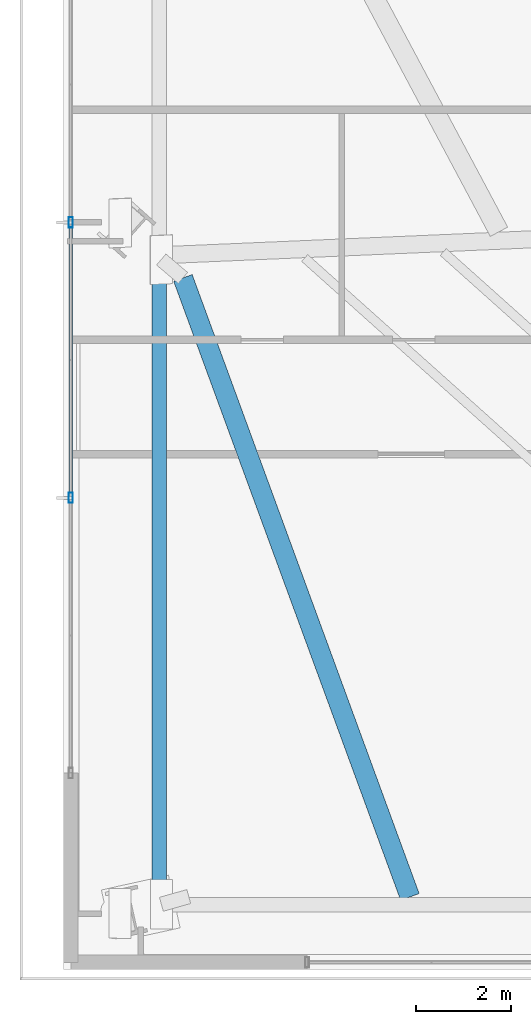
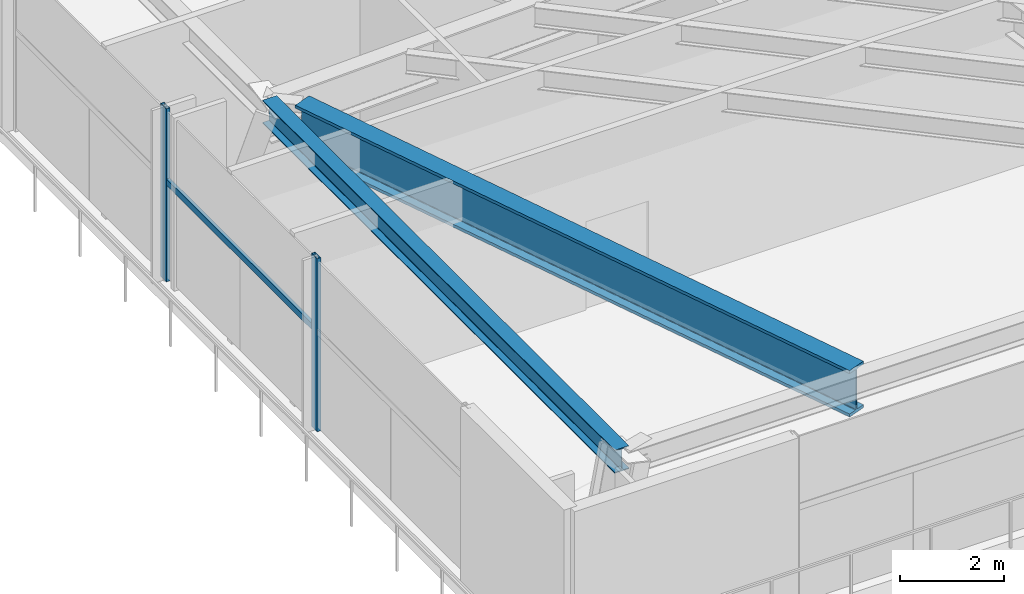
# One storey, part 4 of 30: 3 members, 2 beams, 1 element without a shape of its own.
"""IFC4 building model written with IfcOpenShell, lengths in metres."""

from ifc_helpers import new_model, si_unit, direction, frame, origin, origin_2d, place, context, subcontext, project, spatial, hollow_rectangle, i_section, extrude, source, transform, mapped, material, material_profile, profile_set, type_object, type_shapes, element, aggregate, save


model = new_model("IFC4")

# Units and contexts
model_context = context("Model", 3, precision=1e-05, world=origin(), true_north=direction((0.0, 1.0)))
body_context = subcontext(model_context, "Body", "Model", "MODEL_VIEW")
ifc_project = project(units=[si_unit("LENGTHUNIT", "METRE"), si_unit("AREAUNIT", "SQUARE_METRE"), si_unit("VOLUMEUNIT", "CUBIC_METRE"), si_unit("PLANEANGLEUNIT", "RADIAN"), si_unit("MASSUNIT", "GRAM", prefix="KILO")], contexts=[model_context])

# Site, building, storey
site_placement = place(None, origin())
site = spatial("IfcSite", under=ifc_project, at=site_placement, CompositionType="ELEMENT")
building_placement = place(site_placement, origin())
building = spatial("IfcBuilding", under=site, at=building_placement, Name="Astriad Promenade Condominiums", CompositionType="ELEMENT")
storey_placement = place(building_placement, frame((0.0, 0.0, 14.0)))
storey = spatial("IfcBuildingStorey", under=building, at=storey_placement, Name="L03", CompositionType="ELEMENT", Elevation=14.0)

# Beams
ifc_material_1 = material(Name="Steel ASTM A992 Grade 50", Category="steel")
ifc_material_profile_1 = material_profile(ifc_material_1, i_section(OverallWidth=0.3134765625, OverallDepth=0.54638671875, WebThickness=0.013916015625, FlangeThickness=0.022216796875, FilletRadius=0.0166015625, at=origin_2d()), Name="W21X111")
ifc_profile_set_1 = profile_set([ifc_material_profile_1], Name="Steel ASTM A992 Grade 50")
beam_type_1 = type_object("IfcBeamType", Name="STEEL SPANDREL BEAM W21X111", PredefinedType="SPANDREL", material=ifc_profile_set_1)
shared_shape_1 = source(origin(), body_context, "Body", "SweptSolid", [
    extrude(i_section(OverallWidth=0.3134765625, OverallDepth=0.54638671875, WebThickness=0.013916015625, FlangeThickness=0.022216796875, FilletRadius=0.0166015625, at=origin_2d()), origin(), (0.0, 0.0, 1.0), 13.60693359375),
])
type_shapes(beam_type_1, [shared_shape_1])
beam_1_placement = place(storey_placement, frame((5.519775390625, 16.41357421875, 3.806884765625), z_axis=(0.0, -1.0, 0.0), x_axis=(1.0, 0.0, 0.0)))
element("IfcBeam", 1, at=beam_1_placement, inside=storey, type_object=beam_type_1, Name="Perimeter Spandrel Beam SP-W1-L03", PredefinedType="SPANDREL", context=body_context, shape_type="MappedRepresentation", body=[
    mapped(shared_shape_1, transform((0.0, 0.0, 0.0), scale=1.0)),
])
ifc_material_profile_2 = material_profile(ifc_material_1, i_section(OverallWidth=0.4169921875, OverallDepth=1.093505859375, WebThickness=0.0390625, FlangeThickness=0.070068359375, FilletRadius=0.025390625, at=origin_2d()), Name="W40X503")
ifc_profile_set_2 = profile_set([ifc_material_profile_2], Name="Steel ASTM A992 Grade 50")
beam_type_2 = type_object("IfcBeamType", Name="STEEL TRANSFER GIRDER W40X503", PredefinedType="BEAM", material=ifc_profile_set_2)
shared_shape_2 = source(origin(), body_context, "Body", "SweptSolid", [
    extrude(i_section(OverallWidth=0.4169921875, OverallDepth=1.093505859375, WebThickness=0.0390625, FlangeThickness=0.070068359375, FilletRadius=0.025390625, at=origin_2d()), origin(), (0.0, 0.0, 1.0), 13.94482421875),
])
type_shapes(beam_type_2, [shared_shape_2])
beam_2_placement = place(storey_placement, frame((10.822998046875, 2.9326171875, 3.533203125), z_axis=(-0.344287572211, 0.938864243446, 0.0), x_axis=(-0.938864243446, -0.344287572211, 0.0)))
element("IfcBeam", 2, at=beam_2_placement, inside=storey, type_object=beam_type_2, Name="Transfer Splice Carrier TRM-SP-PC11-L03", PredefinedType="BEAM", context=body_context, shape_type="MappedRepresentation", body=[
    mapped(shared_shape_2, transform((0.0, 0.0, 0.0), scale=1.0)),
])

# Curtain wall, members
ifc_material_2 = material(Name="Anodised aluminium Black Dark Glass Unitised", Category="aluminium")
curtain_wall_type = type_object("IfcCurtainWallType", Name="CW-POD-DARK", PredefinedType="USERDEFINED", material=ifc_material_2)
curtain_wall_placement = place(storey_placement, origin())
curtain_wall = element("IfcCurtainWall", 3, at=curtain_wall_placement, inside=storey, type_object=curtain_wall_type, Name="CW-L03-W", ObjectType="UNITISED_CURTAIN_WALL", PredefinedType="USERDEFINED")
ifc_material_3 = material(Name="Anodised aluminium 6063-T6 Black", Category="aluminium")
ifc_material_profile_3 = material_profile(ifc_material_3, hollow_rectangle(XDim=0.0849609375, YDim=0.219970703125, WallThickness=0.0048828125, at=origin_2d()), Name="ALU-MUL-85X220")
ifc_profile_set_3 = profile_set([ifc_material_profile_3], Name="Anodised aluminium 6063-T6 Black")
member_type_1 = type_object("IfcMemberType", Name="MUL-ALU-MUL-85X220", PredefinedType="MULLION", material=ifc_profile_set_3)
shared_shape_3 = source(origin(), body_context, "Body", "SweptSolid", [
    extrude(hollow_rectangle(XDim=0.0849609375, YDim=0.219970703125, WallThickness=0.0048828125, at=origin_2d()), origin(), (0.0, 0.0, 1.0), 4.080078125),
])
type_shapes(member_type_1, [shared_shape_3])
member_1_placement = place(storey_placement, frame((3.64990234375, 11.375, 0.0), z_axis=(0.0, 0.0, 1.0), x_axis=(1.0, 0.0, 0.0)))
member_1 = element("IfcMember", 4, at=member_1_placement, type_object=member_type_1, Name="CW-L03-W-MUL-01", PredefinedType="MULLION", context=body_context, shape_type="MappedRepresentation", body=[
    mapped(shared_shape_3, transform((0.0, 0.0, 0.0), scale=1.0)),
])
member_2_placement = place(storey_placement, frame((3.64990234375, 17.199951171875, 0.0), z_axis=(0.0, 0.0, 1.0), x_axis=(1.0, 0.0, 0.0)))
member_2 = element("IfcMember", 5, at=member_2_placement, type_object=member_type_1, Name="CW-L03-W-MUL-02", PredefinedType="MULLION", context=body_context, shape_type="MappedRepresentation", body=[
    mapped(shared_shape_3, transform((0.0, 0.0, 0.0), scale=1.0)),
])
ifc_material_profile_4 = material_profile(ifc_material_3, hollow_rectangle(XDim=0.074951171875, YDim=0.14990234375, WallThickness=0.004150390625, at=origin_2d()), Name="ALU-TRN-75X150")
ifc_profile_set_4 = profile_set([ifc_material_profile_4], Name="Anodised aluminium 6063-T6 Black")
member_type_2 = type_object("IfcMemberType", Name="TRN-ALU-TRN-75X150", PredefinedType="USERDEFINED", material=ifc_profile_set_4)
shared_shape_4 = source(origin(), body_context, "Body", "SweptSolid", [
    extrude(hollow_rectangle(XDim=0.074951171875, YDim=0.14990234375, WallThickness=0.004150390625, at=origin_2d()), origin(), (0.0, 0.0, 1.0), 5.824951171875),
])
type_shapes(member_type_2, [shared_shape_4])
member_3_placement = place(storey_placement, frame((3.64990234375, 11.375, 2.35009765625), z_axis=(0.0, 1.0, 0.0), x_axis=(-1.0, 0.0, 0.0)))
member_3 = element("IfcMember", 6, at=member_3_placement, type_object=member_type_2, Name="CW-L03-W-TRN-01-0", ObjectType="TRANSOM", PredefinedType="USERDEFINED", context=body_context, shape_type="MappedRepresentation", body=[
    mapped(shared_shape_4, transform((0.0, 0.0, 0.0), scale=1.0)),
])
aggregate(curtain_wall, [member_1, member_2, member_3])

save(model, "model.ifc")
